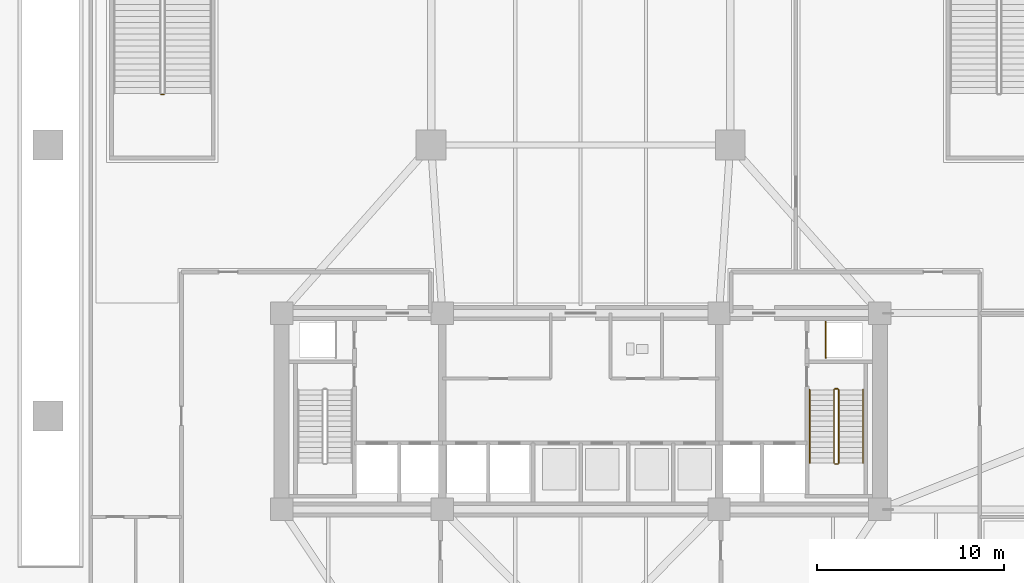
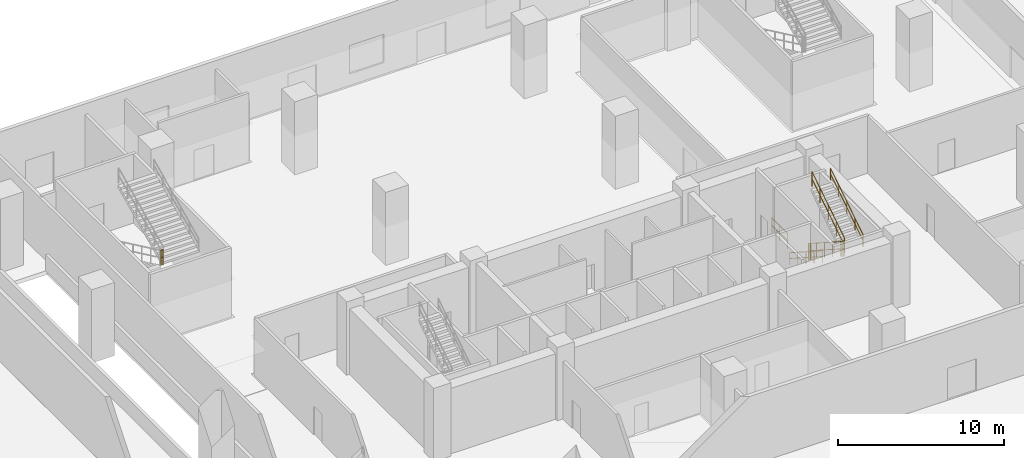
# One storey, part 10 of 15: 8 railings.
"""IFC4 building model written with IfcOpenShell, lengths in metres."""

from ifc_helpers import new_model, si_unit, direction, frame, origin, origin_2d, place, context, subcontext, project, spatial, circle, extrude, material, layer, layer_set, type_object, element, save


model = new_model("IFC4")

# Units and contexts
model_context = context("Model", 3, precision=1e-05, world=origin(), true_north=direction((0.0, 1.0)))
body_context = subcontext(model_context, "Body", "Model", "MODEL_VIEW")
ifc_project = project(units=[si_unit("LENGTHUNIT", "METRE"), si_unit("AREAUNIT", "SQUARE_METRE"), si_unit("VOLUMEUNIT", "CUBIC_METRE"), si_unit("PLANEANGLEUNIT", "RADIAN"), si_unit("MASSUNIT", "GRAM", prefix="KILO")], contexts=[model_context])

# Site, building, storey
site_placement = place(None, origin())
site = spatial("IfcSite", under=ifc_project, at=site_placement, CompositionType="ELEMENT")
building_placement = place(site_placement, origin())
building = spatial("IfcBuilding", under=site, at=building_placement, Name="Solmavex Isthmus Hotel", CompositionType="ELEMENT")
storey_placement = place(building_placement, origin())
storey = spatial("IfcBuildingStorey", under=building, at=storey_placement, Name="L01", CompositionType="ELEMENT", Elevation=0.0)

# Railings
ifc_material_1 = material(Name="Clear low-E laminated glass", Category="glass")
ifc_layer_1 = layer(ifc_material_1, 0.080078125)
ifc_layer_set_1 = layer_set([ifc_layer_1], Name="Clear low-E laminated glass")
railing_type_1 = type_object("IfcRailingType", Name="RAIL-ATRIUM-1120", PredefinedType="BALUSTRADE", material=ifc_layer_set_1)
railing_1_placement = place(storey_placement, frame((13.10009765625, -4.89990234375, 0.0)))
element("IfcRailing", 1, at=railing_1_placement, inside=storey, type_object=railing_type_1, Name="Guardrail Balustrade L01-RSE-01", PredefinedType="BALUSTRADE", context=body_context, shape_type="SweptSolid", body=[
    extrude(circle(Radius=0.02392578125, at=origin_2d()), frame((0.0, 0.0, 1.1259765625), z_axis=(0.0, 1.0, 0.0), x_axis=(-1.0, 0.0, 0.0)), (0.0, 0.0, 1.0), 1.949951171875),
    extrude(circle(Radius=0.02392578125, at=origin_2d()), frame((0.0, 0.0, 0.574951171875), z_axis=(0.0, 1.0, 0.0), x_axis=(-1.0, 0.0, 0.0)), (0.0, 0.0, 1.0), 1.949951171875),
    extrude(circle(Radius=0.02099609375, at=origin_2d()), origin(), (0.0, 0.0, 1.0), 1.101806640625),
    extrude(circle(Radius=0.02099609375, at=origin_2d()), frame((0.0, 0.97509765625, 0.0)), (0.0, 0.0, 1.0), 1.101806640625),
    extrude(circle(Radius=0.02099609375, at=origin_2d()), frame((0.0, 1.949951171875, 0.0)), (0.0, 0.0, 1.0), 1.101806640625),
])
ifc_material_2 = material(Name="Stainless steel 316", Category="steel")
ifc_layer_2 = layer(ifc_material_2, 0.06005859375)
ifc_layer_set_2 = layer_set([ifc_layer_2], Name="Stainless steel 316")
railing_type_2 = type_object("IfcRailingType", Name="RAIL-STAIR-GD", PredefinedType="GUARDRAIL", material=ifc_layer_set_2)
railing_2_placement = place(storey_placement, frame((13.550048828125, -6.60009765625, 0.179931640625)))
element("IfcRailing", 2, at=railing_2_placement, inside=storey, type_object=railing_type_2, Name="L01 ST-2 stair guard 1", PredefinedType="GUARDRAIL", context=body_context, shape_type="SweptSolid", body=[
    extrude(circle(Radius=0.02392578125, at=origin_2d()), frame((0.0, 0.0, 1.09619140625), z_axis=(0.0, -0.841171666519, 0.540768182723), x_axis=(1.0, 0.0, 0.0)), (0.0, 0.0, 1.0), 4.66015625),
    extrude(circle(Radius=0.02392578125, at=origin_2d()), frame((0.0, 0.0, 0.56005859375), z_axis=(0.0, -0.841171666519, 0.540768182723), x_axis=(1.0, 0.0, 0.0)), (0.0, 0.0, 1.0), 4.66015625),
    extrude(circle(Radius=0.02099609375, at=origin_2d()), origin(), (0.0, 0.0, 1.0), 1.072021484375),
    extrude(circle(Radius=0.02099609375, at=origin_2d()), frame((0.0, -0.97998046875, 0.6298828125)), (0.0, 0.0, 1.0), 1.072021484375),
    extrude(circle(Radius=0.02099609375, at=origin_2d()), frame((0.0, -1.9599609375, 1.260009765625)), (0.0, 0.0, 1.0), 1.072021484375),
    extrude(circle(Radius=0.02099609375, at=origin_2d()), frame((0.0, -2.93994140625, 1.89013671875)), (0.0, 0.0, 1.0), 1.072021484375),
    extrude(circle(Radius=0.02099609375, at=origin_2d()), frame((0.0, -3.919921875, 2.52001953125)), (0.0, 0.0, 1.0), 1.072021484375),
])
railing_3_placement = place(storey_placement, frame((13.60009765625, -10.570068359375, 2.699951171875)))
element("IfcRailing", 3, at=railing_3_placement, inside=storey, type_object=railing_type_2, Name="L01 ST-2 stair guard 2", PredefinedType="GUARDRAIL", context=body_context, shape_type="SweptSolid", body=[
    extrude(circle(Radius=0.02392578125, at=origin_2d()), frame((0.0, 0.0, 1.09619140625), z_axis=(1.0, 0.0, 0.0), x_axis=(0.0, 1.0, 0.0)), (0.0, 0.0, 1.0), 0.14990234375),
    extrude(circle(Radius=0.02392578125, at=origin_2d()), frame((0.0, 0.0, 0.56005859375), z_axis=(1.0, 0.0, 0.0), x_axis=(0.0, 1.0, 0.0)), (0.0, 0.0, 1.0), 0.14990234375),
    extrude(circle(Radius=0.02099609375, at=origin_2d()), origin(), (0.0, 0.0, 1.0), 1.072021484375),
    extrude(circle(Radius=0.02099609375, at=origin_2d()), frame((0.14990234375, 0.0, 0.0)), (0.0, 0.0, 1.0), 1.072021484375),
])
railing_4_placement = place(storey_placement, frame((13.800048828125, -10.52001953125, 2.8798828125)))
element("IfcRailing", 4, at=railing_4_placement, inside=storey, type_object=railing_type_2, Name="L01 ST-2 stair guard 3", PredefinedType="GUARDRAIL", context=body_context, shape_type="SweptSolid", body=[
    extrude(circle(Radius=0.02392578125, at=origin_2d()), frame((0.0, 0.0, 1.09619140625), z_axis=(0.0, 0.841171666519, 0.540768182723), x_axis=(-1.0, 0.0, 0.0)), (0.0, 0.0, 1.0), 4.66015625),
    extrude(circle(Radius=0.02392578125, at=origin_2d()), frame((0.0, 0.0, 0.56005859375), z_axis=(0.0, 0.841171666519, 0.540768182723), x_axis=(-1.0, 0.0, 0.0)), (0.0, 0.0, 1.0), 4.66015625),
    extrude(circle(Radius=0.02099609375, at=origin_2d()), origin(), (0.0, 0.0, 1.0), 1.072021484375),
    extrude(circle(Radius=0.02099609375, at=origin_2d()), frame((0.0, 0.97998046875, 0.6298828125)), (0.0, 0.0, 1.0), 1.072021484375),
    extrude(circle(Radius=0.02099609375, at=origin_2d()), frame((0.0, 1.9599609375, 1.260009765625)), (0.0, 0.0, 1.0), 1.072021484375),
    extrude(circle(Radius=0.02099609375, at=origin_2d()), frame((0.0, 2.93994140625, 1.89013671875)), (0.0, 0.0, 1.0), 1.072021484375),
    extrude(circle(Radius=0.02099609375, at=origin_2d()), frame((0.0, 3.919921875, 2.52001953125)), (0.0, 0.0, 1.0), 1.072021484375),
])
for number, where, name in (
    (5, (13.60009765625, -6.550048828125, 0.0), "L01 ST-2 stair guard 4"),
    (6, (-22.449951171875, 9.194091796875, 2.699951171875), "L01 ST-4 stair guard 2"),
):
    element("IfcRailing", number, at=place(storey_placement, frame(where)), inside=storey, type_object=railing_type_2, Name=name, PredefinedType="GUARDRAIL", context=body_context, shape_type="SweptSolid", body=[
        extrude(circle(Radius=0.02392578125, at=origin_2d()), frame((0.0, 0.0, 1.09619140625), z_axis=(1.0, 0.0, 0.0), x_axis=(0.0, 1.0, 0.0)), (0.0, 0.0, 1.0), 0.14990234375),
        extrude(circle(Radius=0.02392578125, at=origin_2d()), frame((0.0, 0.0, 0.56005859375), z_axis=(1.0, 0.0, 0.0), x_axis=(0.0, 1.0, 0.0)), (0.0, 0.0, 1.0), 0.14990234375),
        extrude(circle(Radius=0.02099609375, at=origin_2d()), origin(), (0.0, 0.0, 1.0), 1.072021484375),
        extrude(circle(Radius=0.02099609375, at=origin_2d()), frame((0.14990234375, 0.0, 0.0)), (0.0, 0.0, 1.0), 1.072021484375),
    ])
ifc_layer_3 = layer(ifc_material_2, 0.050048828125)
ifc_layer_set_3 = layer_set([ifc_layer_3], Name="Stainless steel 316")
railing_type_3 = type_object("IfcRailingType", Name="RAIL-STAIR-HR", PredefinedType="HANDRAIL", material=ifc_layer_set_3)
railing_5_placement = place(storey_placement, frame((12.25, -6.60009765625, 0.179931640625)))
element("IfcRailing", 7, at=railing_5_placement, inside=storey, type_object=railing_type_3, Name="L01 ST-2 stair handrail 1", PredefinedType="HANDRAIL", context=body_context, shape_type="SweptSolid", body=[
    extrude(circle(Radius=0.02392578125, at=origin_2d()), frame((0.0, 0.0, 0.8759765625), z_axis=(0.0, -0.841171666519, 0.540768182723), x_axis=(1.0, 0.0, 0.0)), (0.0, 0.0, 1.0), 4.66015625),
    extrude(circle(Radius=0.02392578125, at=origin_2d()), frame((0.0, 0.0, 0.449951171875), z_axis=(0.0, -0.841171666519, 0.540768182723), x_axis=(1.0, 0.0, 0.0)), (0.0, 0.0, 1.0), 4.66015625),
    extrude(circle(Radius=0.02099609375, at=origin_2d()), origin(), (0.0, 0.0, 1.0), 0.851806640625),
    extrude(circle(Radius=0.02099609375, at=origin_2d()), frame((0.0, -0.97998046875, 0.6298828125)), (0.0, 0.0, 1.0), 0.851806640625),
    extrude(circle(Radius=0.02099609375, at=origin_2d()), frame((0.0, -1.9599609375, 1.260009765625)), (0.0, 0.0, 1.0), 0.851806640625),
    extrude(circle(Radius=0.02099609375, at=origin_2d()), frame((0.0, -2.93994140625, 1.89013671875)), (0.0, 0.0, 1.0), 0.851806640625),
    extrude(circle(Radius=0.02099609375, at=origin_2d()), frame((0.0, -3.919921875, 2.52001953125)), (0.0, 0.0, 1.0), 0.851806640625),
])
railing_6_placement = place(storey_placement, frame((15.10009765625, -10.52001953125, 2.8798828125)))
element("IfcRailing", 8, at=railing_6_placement, inside=storey, type_object=railing_type_3, Name="L01 ST-2 stair handrail 2", PredefinedType="HANDRAIL", context=body_context, shape_type="SweptSolid", body=[
    extrude(circle(Radius=0.02392578125, at=origin_2d()), frame((0.0, 0.0, 0.8759765625), z_axis=(0.0, 0.841171666519, 0.540768182723), x_axis=(-1.0, 0.0, 0.0)), (0.0, 0.0, 1.0), 4.66015625),
    extrude(circle(Radius=0.02392578125, at=origin_2d()), frame((0.0, 0.0, 0.449951171875), z_axis=(0.0, 0.841171666519, 0.540768182723), x_axis=(-1.0, 0.0, 0.0)), (0.0, 0.0, 1.0), 4.66015625),
    extrude(circle(Radius=0.02099609375, at=origin_2d()), origin(), (0.0, 0.0, 1.0), 0.851806640625),
    extrude(circle(Radius=0.02099609375, at=origin_2d()), frame((0.0, 0.97998046875, 0.6298828125)), (0.0, 0.0, 1.0), 0.851806640625),
    extrude(circle(Radius=0.02099609375, at=origin_2d()), frame((0.0, 1.9599609375, 1.260009765625)), (0.0, 0.0, 1.0), 0.851806640625),
    extrude(circle(Radius=0.02099609375, at=origin_2d()), frame((0.0, 2.93994140625, 1.89013671875)), (0.0, 0.0, 1.0), 0.851806640625),
    extrude(circle(Radius=0.02099609375, at=origin_2d()), frame((0.0, 3.919921875, 2.52001953125)), (0.0, 0.0, 1.0), 0.851806640625),
])

save(model, "model.ifc")
